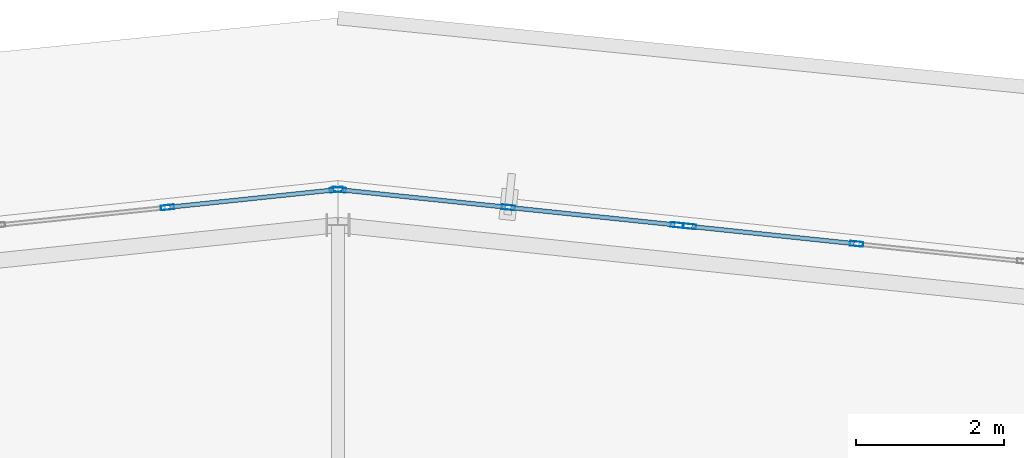
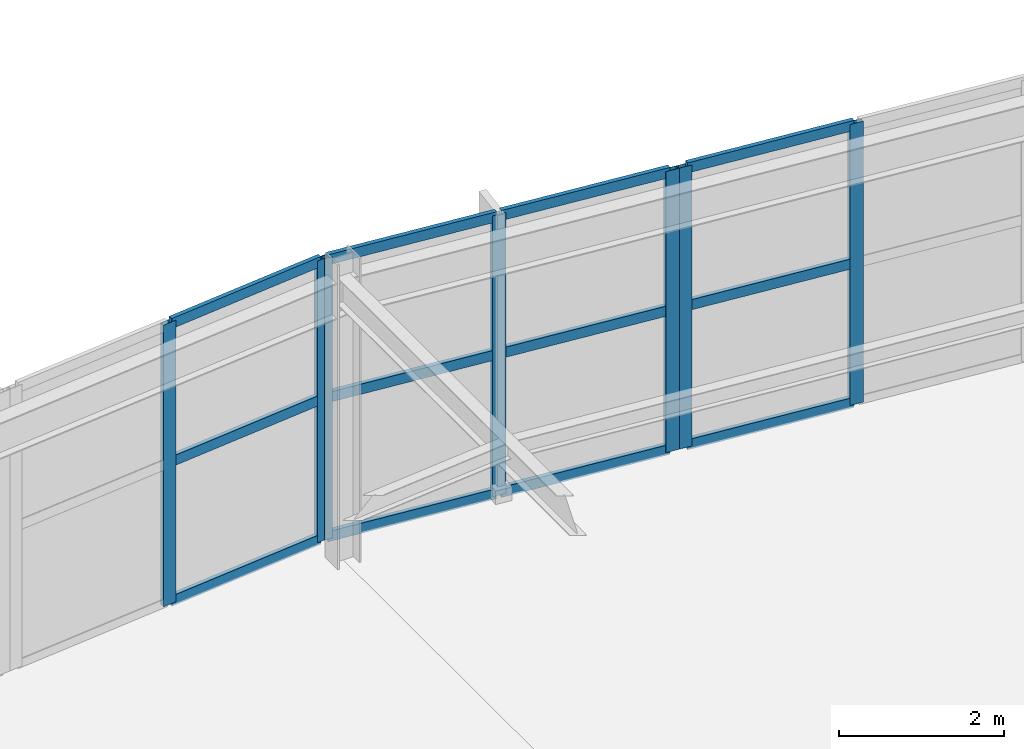
# One storey, part 72 of 126: 19 members, 3 elements without a shape of their own.
"""IFC4 building model written with IfcOpenShell, lengths in metres."""

from ifc_helpers import new_model, si_unit, direction, frame, origin, origin_2d, place, context, subcontext, project, spatial, hollow_rectangle, extrude, material, layer, layer_set, material_profile, profile_set, type_object, element, aggregate, save


model = new_model("IFC4")

# Units and contexts
model_context = context("Model", 3, precision=1e-05, world=origin(), true_north=direction((0.0, 1.0)))
body_context = subcontext(model_context, "Body", "Model", "MODEL_VIEW")
ifc_project = project(units=[si_unit("LENGTHUNIT", "METRE"), si_unit("AREAUNIT", "SQUARE_METRE"), si_unit("VOLUMEUNIT", "CUBIC_METRE"), si_unit("PLANEANGLEUNIT", "RADIAN"), si_unit("MASSUNIT", "GRAM", prefix="KILO")], contexts=[model_context])

# Site, building, storey
site_placement = place(None, origin())
site = spatial("IfcSite", under=ifc_project, at=site_placement, CompositionType="ELEMENT")
building_placement = place(site_placement, origin())
building = spatial("IfcBuilding", under=site, at=building_placement, Name="Kalgoora Escarpment Arena", CompositionType="ELEMENT")
storey_placement = place(building_placement, frame((0.0, 0.0, 18.89990234375)))
storey = spatial("IfcBuildingStorey", under=building, at=storey_placement, Name="L04", CompositionType="ELEMENT", Elevation=18.89990234375)

# Curtain wall, members
ifc_material_1 = material(Name=" Champagne anodised aluminium & double-glazed low-E", Category="aluminium")
ifc_layer_1 = layer(ifc_material_1, 0.157958984375)
ifc_layer_set_1 = layer_set([ifc_layer_1], Name="CW-UNIT-02")
curtain_wall_type_1 = type_object("IfcCurtainWallType", Name="CW-UNIT-02", PredefinedType="NOTDEFINED", material=ifc_layer_set_1)
curtain_wall_1_placement = place(storey_placement, origin())
curtain_wall_1 = element("IfcCurtainWall", 1, at=curtain_wall_1_placement, inside=storey, type_object=curtain_wall_type_1, Name="L04 unitised facade curtain wall 161", PredefinedType="NOTDEFINED")
ifc_material_2 = material(Name="Anodised aluminium 6063-T6", Category="aluminium")
ifc_material_profile_1 = material_profile(ifc_material_2, hollow_rectangle(XDim=0.06494140625, YDim=0.179931640625, WallThickness=0.00390625, at=origin_2d()))
ifc_profile_set_1 = profile_set([ifc_material_profile_1], Name="Anodised aluminium 6063-T6")
member_type_1 = type_object("IfcMemberType", Name="MEM-CW-MULL-180", PredefinedType="MULLION", material=ifc_profile_set_1)
member_1_placement = place(storey_placement, frame((90.094970703125, 121.238037109375, 0.02001953125), z_axis=(0.0, 0.0, 1.0), x_axis=(-0.104178772797, 0.994558587162, 0.0)))
member_1 = element("IfcMember", 2, at=member_1_placement, type_object=member_type_1, Name="CW-02 mullion 2", PredefinedType="MULLION", context=body_context, shape_type="SweptSolid", body=[
    extrude(hollow_rectangle(XDim=0.06494140625, YDim=0.179931640625, WallThickness=0.00390625, at=origin_2d()), origin(), (0.0, 0.0, 1.0), 4.16015625),
])
member_2_placement = place(storey_placement, frame((92.380126953125, 121.477294921875, 0.02001953125), z_axis=(0.0, 0.0, 1.0), x_axis=(-0.104178772797, 0.994558587162, 0.0)))
member_2 = element("IfcMember", 3, at=member_2_placement, type_object=member_type_1, Name="CW-02 mullion 3", PredefinedType="MULLION", context=body_context, shape_type="SweptSolid", body=[
    extrude(hollow_rectangle(XDim=0.06494140625, YDim=0.179931640625, WallThickness=0.00390625, at=origin_2d()), origin(), (0.0, 0.0, 1.0), 4.16015625),
])

ifc_material_3 = material(Name=" Champagne anodised aluminium & double-glazed low-E", Category="aluminium")
ifc_layer_2 = layer(ifc_material_3, 0.162109375)
ifc_layer_set_2 = layer_set([ifc_layer_2], Name="CW-UNIT-03")
curtain_wall_type_2 = type_object("IfcCurtainWallType", Name="CW-UNIT-03", PredefinedType="NOTDEFINED", material=ifc_layer_set_2)
curtain_wall_2_placement = place(storey_placement, origin())
curtain_wall_2 = element("IfcCurtainWall", 4, at=curtain_wall_2_placement, inside=storey, type_object=curtain_wall_type_2, Name="L04 unitised facade curtain wall 162", PredefinedType="NOTDEFINED")
member_3_placement = place(storey_placement, frame((92.419921875, 121.477294921875, 0.02001953125), z_axis=(0.0, 0.0, 1.0), x_axis=(0.104178772797, 0.994558587162, 0.0)))
member_3 = element("IfcMember", 5, at=member_3_placement, type_object=member_type_1, Name="CW-03 mullion 1", PredefinedType="MULLION", context=body_context, shape_type="SweptSolid", body=[
    extrude(hollow_rectangle(XDim=0.06494140625, YDim=0.179931640625, WallThickness=0.00390625, at=origin_2d()), origin(), (0.0, 0.0, 1.0), 4.150146484375),
])
member_4_placement = place(storey_placement, frame((94.704833984375, 121.238037109375, 0.02001953125), z_axis=(0.0, 0.0, 1.0), x_axis=(0.104178772797, 0.994558587162, 0.0)))
member_4 = element("IfcMember", 6, at=member_4_placement, type_object=member_type_1, Name="CW-03 mullion 2", PredefinedType="MULLION", context=body_context, shape_type="SweptSolid", body=[
    extrude(hollow_rectangle(XDim=0.06494140625, YDim=0.179931640625, WallThickness=0.00390625, at=origin_2d()), origin(), (0.0, 0.0, 1.0), 4.150146484375),
])
member_5_placement = place(storey_placement, frame((96.989990234375, 120.99853515625, 0.02001953125), z_axis=(0.0, 0.0, 1.0), x_axis=(0.104178772797, 0.994558587162, 0.0)))
member_5 = element("IfcMember", 7, at=member_5_placement, type_object=member_type_1, Name="CW-03 mullion 3", PredefinedType="MULLION", context=body_context, shape_type="SweptSolid", body=[
    extrude(hollow_rectangle(XDim=0.06494140625, YDim=0.179931640625, WallThickness=0.00390625, at=origin_2d()), origin(), (0.0, 0.0, 1.0), 4.150146484375),
])

ifc_material_4 = material(Name=" Champagne anodised aluminium & double-glazed low-E", Category="aluminium")
ifc_layer_3 = layer(ifc_material_4, 0.166015625)
ifc_layer_set_3 = layer_set([ifc_layer_3], Name="CW-UNIT-04")
curtain_wall_type_3 = type_object("IfcCurtainWallType", Name="CW-UNIT-04", PredefinedType="NOTDEFINED", material=ifc_layer_set_3)
curtain_wall_3_placement = place(storey_placement, origin())
curtain_wall_3 = element("IfcCurtainWall", 8, at=curtain_wall_3_placement, inside=storey, type_object=curtain_wall_type_3, Name="L04 unitised facade curtain wall 163", PredefinedType="NOTDEFINED")
member_6_placement = place(storey_placement, frame((97.154296875, 120.9814453125, 0.02001953125), z_axis=(0.0, 0.0, 1.0), x_axis=(0.104182310405, 0.994558216596, 0.0)))
member_6 = element("IfcMember", 9, at=member_6_placement, type_object=member_type_1, Name="CW-04 mullion 1", PredefinedType="MULLION", context=body_context, shape_type="SweptSolid", body=[
    extrude(hollow_rectangle(XDim=0.06494140625, YDim=0.179931640625, WallThickness=0.00390625, at=origin_2d()), origin(), (0.0, 0.0, 1.0), 4.150146484375),
])
member_7_placement = place(storey_placement, frame((99.41455078125, 120.74462890625, 0.02001953125), z_axis=(0.0, 0.0, 1.0), x_axis=(0.104182310405, 0.994558216596, 0.0)))
member_7 = element("IfcMember", 10, at=member_7_placement, type_object=member_type_1, Name="CW-04 mullion 2", PredefinedType="MULLION", context=body_context, shape_type="SweptSolid", body=[
    extrude(hollow_rectangle(XDim=0.06494140625, YDim=0.179931640625, WallThickness=0.00390625, at=origin_2d()), origin(), (0.0, 0.0, 1.0), 4.150146484375),
])

# Member
ifc_material_5 = material(Name="Anodised aluminium 6063-T6", Category="aluminium")
ifc_material_profile_2 = material_profile(ifc_material_5, hollow_rectangle(XDim=0.06005859375, YDim=0.14990234375, WallThickness=0.00341796875, at=origin_2d()))
ifc_profile_set_2 = profile_set([ifc_material_profile_2], Name="Anodised aluminium 6063-T6")
member_type_2 = type_object("IfcMemberType", Name="MEM-CW-TRAN-150", PredefinedType="USERDEFINED", material=ifc_profile_set_2)
member_8_placement = place(storey_placement, frame((90.12744140625, 121.241455078125, 0.050048828125), z_axis=(0.994566401325, 0.104104146681, 0.0), x_axis=(-0.104104146681, 0.994566401325, 0.0)))
member_8 = element("IfcMember", 11, at=member_8_placement, type_object=member_type_2, Name="CW-02 transom 2.1", ObjectType="TRANSOM", PredefinedType="USERDEFINED", context=body_context, shape_type="SweptSolid", body=[
    extrude(hollow_rectangle(XDim=0.06005859375, YDim=0.14990234375, WallThickness=0.00341796875, at=origin_2d()), origin(), (0.0, 0.0, 1.0), 2.232666015625),
])

member_9_placement = place(storey_placement, frame((90.12744140625, 121.241455078125, 2.110107421875), z_axis=(0.994566401325, 0.104104146681, 0.0), x_axis=(-0.104104146681, 0.994566401325, 0.0)))
member_9 = element("IfcMember", 12, at=member_9_placement, type_object=member_type_2, Name="CW-02 transom 2.2", ObjectType="TRANSOM", PredefinedType="USERDEFINED", context=body_context, shape_type="SweptSolid", body=[
    extrude(hollow_rectangle(XDim=0.06005859375, YDim=0.14990234375, WallThickness=0.00341796875, at=origin_2d()), origin(), (0.0, 0.0, 1.0), 2.232666015625),
])

member_10_placement = place(storey_placement, frame((90.12744140625, 121.241455078125, 4.150146484375), z_axis=(0.994566401325, 0.104104146681, 0.0), x_axis=(-0.104104146681, 0.994566401325, 0.0)))
member_10 = element("IfcMember", 13, at=member_10_placement, type_object=member_type_2, Name="CW-02 transom 2.3", ObjectType="TRANSOM", PredefinedType="USERDEFINED", context=body_context, shape_type="SweptSolid", body=[
    extrude(hollow_rectangle(XDim=0.06005859375, YDim=0.14990234375, WallThickness=0.00341796875, at=origin_2d()), origin(), (0.0, 0.0, 1.0), 2.232666015625),
])

aggregate(curtain_wall_1, [member_1, member_2, member_8, member_9, member_10])

member_11_placement = place(storey_placement, frame((92.4521484375, 121.473876953125, 0.050048828125), z_axis=(0.994566401325, -0.104104146681, 0.0), x_axis=(0.104104146681, 0.994566401325, 0.0)))
member_11 = element("IfcMember", 14, at=member_11_placement, type_object=member_type_2, Name="CW-03 transom 1.1", ObjectType="TRANSOM", PredefinedType="USERDEFINED", context=body_context, shape_type="SweptSolid", body=[
    extrude(hollow_rectangle(XDim=0.06005859375, YDim=0.14990234375, WallThickness=0.00341796875, at=origin_2d()), origin(), (0.0, 0.0, 1.0), 2.232666015625),
])

member_12_placement = place(storey_placement, frame((92.4521484375, 121.473876953125, 2.10498046875), z_axis=(0.994566401325, -0.104104146681, 0.0), x_axis=(0.104104146681, 0.994566401325, 0.0)))
member_12 = element("IfcMember", 15, at=member_12_placement, type_object=member_type_2, Name="CW-03 transom 1.2", ObjectType="TRANSOM", PredefinedType="USERDEFINED", context=body_context, shape_type="SweptSolid", body=[
    extrude(hollow_rectangle(XDim=0.06005859375, YDim=0.14990234375, WallThickness=0.00341796875, at=origin_2d()), origin(), (0.0, 0.0, 1.0), 2.232666015625),
])

member_13_placement = place(storey_placement, frame((92.4521484375, 121.473876953125, 4.14013671875), z_axis=(0.994566401325, -0.104104146681, 0.0), x_axis=(0.104104146681, 0.994566401325, 0.0)))
member_13 = element("IfcMember", 16, at=member_13_placement, type_object=member_type_2, Name="CW-03 transom 1.3", ObjectType="TRANSOM", PredefinedType="USERDEFINED", context=body_context, shape_type="SweptSolid", body=[
    extrude(hollow_rectangle(XDim=0.06005859375, YDim=0.14990234375, WallThickness=0.00341796875, at=origin_2d()), origin(), (0.0, 0.0, 1.0), 2.232666015625),
])

member_14_placement = place(storey_placement, frame((94.7373046875, 121.234619140625, 0.050048828125), z_axis=(0.994555073318, -0.104212312795, 0.0), x_axis=(0.104212312795, 0.994555073318, 0.0)))
member_14 = element("IfcMember", 17, at=member_14_placement, type_object=member_type_2, Name="CW-03 transom 2.1", ObjectType="TRANSOM", PredefinedType="USERDEFINED", context=body_context, shape_type="SweptSolid", body=[
    extrude(hollow_rectangle(XDim=0.06005859375, YDim=0.14990234375, WallThickness=0.00341796875, at=origin_2d()), origin(), (0.0, 0.0, 1.0), 2.232666015625),
])

member_15_placement = place(storey_placement, frame((94.7373046875, 121.234619140625, 2.10498046875), z_axis=(0.994555073318, -0.104212312795, 0.0), x_axis=(0.104212312795, 0.994555073318, 0.0)))
member_15 = element("IfcMember", 18, at=member_15_placement, type_object=member_type_2, Name="CW-03 transom 2.2", ObjectType="TRANSOM", PredefinedType="USERDEFINED", context=body_context, shape_type="SweptSolid", body=[
    extrude(hollow_rectangle(XDim=0.06005859375, YDim=0.14990234375, WallThickness=0.00341796875, at=origin_2d()), origin(), (0.0, 0.0, 1.0), 2.232666015625),
])

member_16_placement = place(storey_placement, frame((94.7373046875, 121.234619140625, 4.14013671875), z_axis=(0.994555073318, -0.104212312795, 0.0), x_axis=(0.104212312795, 0.994555073318, 0.0)))
member_16 = element("IfcMember", 19, at=member_16_placement, type_object=member_type_2, Name="CW-03 transom 2.3", ObjectType="TRANSOM", PredefinedType="USERDEFINED", context=body_context, shape_type="SweptSolid", body=[
    extrude(hollow_rectangle(XDim=0.06005859375, YDim=0.14990234375, WallThickness=0.00341796875, at=origin_2d()), origin(), (0.0, 0.0, 1.0), 2.232666015625),
])

aggregate(curtain_wall_2, [member_3, member_4, member_5, member_11, member_12, member_13, member_14, member_15, member_16])

member_17_placement = place(storey_placement, frame((97.1865234375, 120.97802734375, 0.050048828125), z_axis=(0.994558650699, -0.104178166236, 0.0), x_axis=(0.104178166236, 0.994558650699, 0.0)))
member_17 = element("IfcMember", 20, at=member_17_placement, type_object=member_type_2, Name="CW-04 transom 1.1", ObjectType="TRANSOM", PredefinedType="USERDEFINED", context=body_context, shape_type="SweptSolid", body=[
    extrude(hollow_rectangle(XDim=0.06005859375, YDim=0.14990234375, WallThickness=0.00341796875, at=origin_2d()), origin(), (0.0, 0.0, 1.0), 2.20751953125),
])

member_18_placement = place(storey_placement, frame((97.1865234375, 120.97802734375, 2.10498046875), z_axis=(0.994558650699, -0.104178166236, 0.0), x_axis=(0.104178166236, 0.994558650699, 0.0)))
member_18 = element("IfcMember", 21, at=member_18_placement, type_object=member_type_2, Name="CW-04 transom 1.2", ObjectType="TRANSOM", PredefinedType="USERDEFINED", context=body_context, shape_type="SweptSolid", body=[
    extrude(hollow_rectangle(XDim=0.06005859375, YDim=0.14990234375, WallThickness=0.00341796875, at=origin_2d()), origin(), (0.0, 0.0, 1.0), 2.20751953125),
])

member_19_placement = place(storey_placement, frame((97.1865234375, 120.97802734375, 4.14013671875), z_axis=(0.994558650699, -0.104178166236, 0.0), x_axis=(0.104178166236, 0.994558650699, 0.0)))
member_19 = element("IfcMember", 22, at=member_19_placement, type_object=member_type_2, Name="CW-04 transom 1.3", ObjectType="TRANSOM", PredefinedType="USERDEFINED", context=body_context, shape_type="SweptSolid", body=[
    extrude(hollow_rectangle(XDim=0.06005859375, YDim=0.14990234375, WallThickness=0.00341796875, at=origin_2d()), origin(), (0.0, 0.0, 1.0), 2.20751953125),
])

aggregate(curtain_wall_3, [member_6, member_7, member_17, member_18, member_19])

save(model, "model.ifc")
